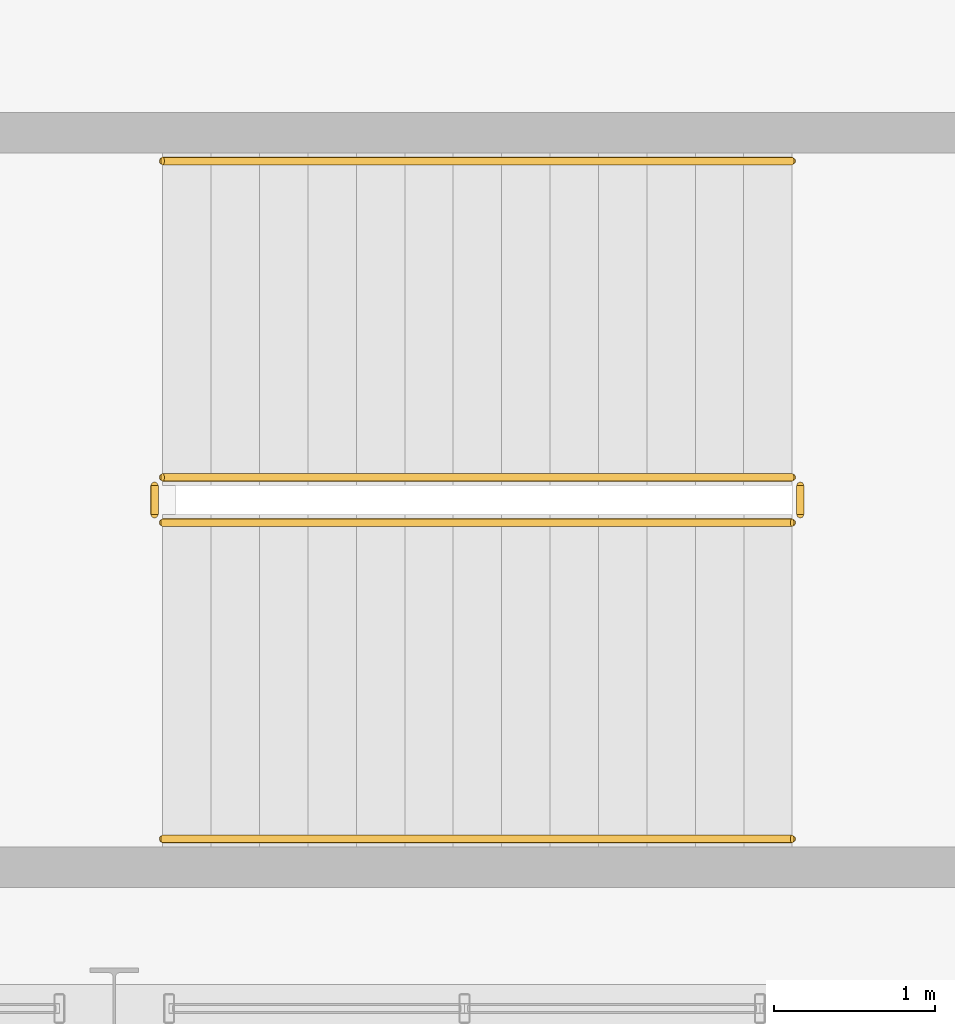
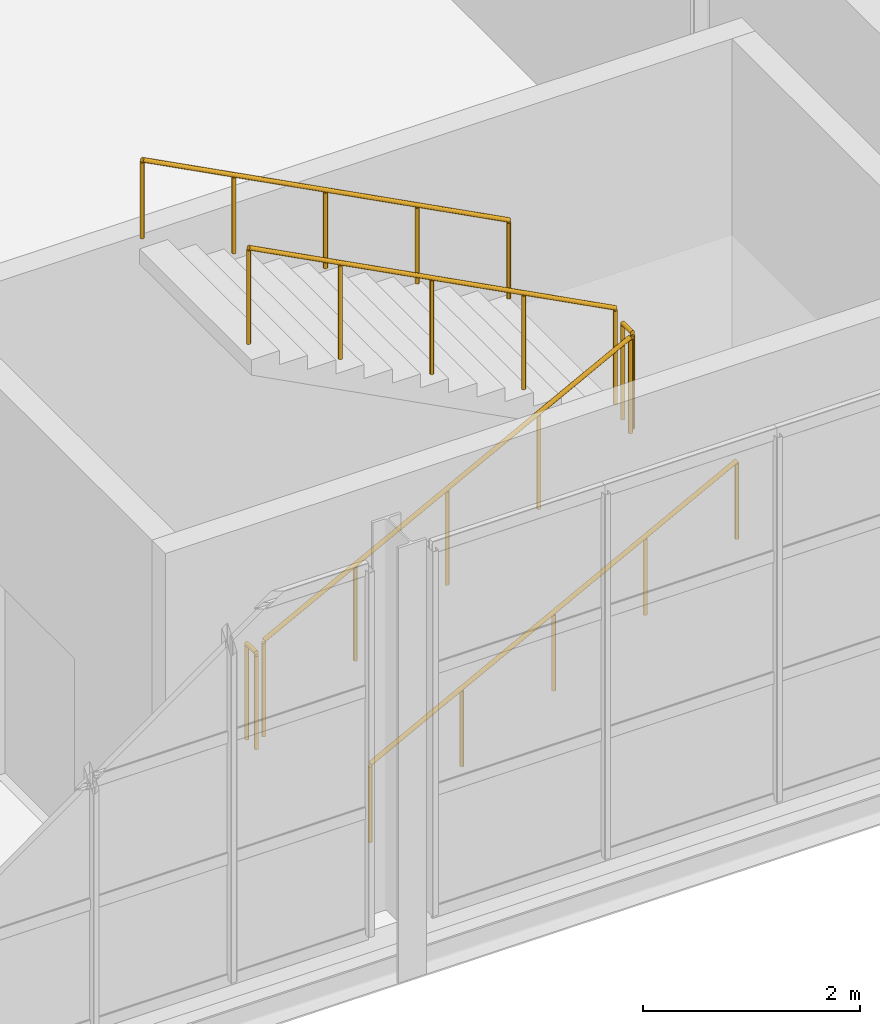
# One storey, part 151 of 153: 6 railings.
"""IFC4 building model written with IfcOpenShell, lengths in metres."""

from ifc_helpers import new_model, si_unit, derived_unit, direction, frame, origin, origin_2d, place, context, subcontext, project, spatial, circle, extrude, material, type_object, element, save


model = new_model("IFC4")

# Units and contexts
model_context = context("Model", 3, precision=1e-05, world=origin(), true_north=direction((0.0, 1.0)))
body_context = subcontext(model_context, "Body", "Model", "MODEL_VIEW")
ifc_project = project(units=[si_unit("LENGTHUNIT", "METRE"), si_unit("AREAUNIT", "SQUARE_METRE"), si_unit("VOLUMEUNIT", "CUBIC_METRE"), si_unit("PLANEANGLEUNIT", "RADIAN"), si_unit("MASSUNIT", "GRAM", prefix="KILO"), derived_unit("THERMALTRANSMITTANCEUNIT", [(si_unit("POWERUNIT", "WATT"), 1), (si_unit("LENGTHUNIT", "METRE"), -2), (si_unit("THERMODYNAMICTEMPERATUREUNIT", "KELVIN"), -1)])], contexts=[model_context])

# Site, building, storey
site_placement = place(None, origin())
site = spatial("IfcSite", under=ifc_project, at=site_placement, CompositionType="ELEMENT")
building_placement = place(site_placement, origin())
building = spatial("IfcBuilding", under=site, at=building_placement, Name="Keldorne Ridge Multi-Sports Centre", CompositionType="ELEMENT")
storey_placement = place(building_placement, frame((0.0, 0.0, 9.60009765625)))
storey = spatial("IfcBuildingStorey", under=building, at=storey_placement, Name="L02", CompositionType="ELEMENT", Elevation=9.60009765625)

# Railings
ifc_material_1 = material(Name="Laminated glass and stainless steel", Category="steel")
railing_type_1 = type_object("IfcRailingType", Name="RLG-BL-01", PredefinedType="BALUSTRADE", material=ifc_material_1)
railing_1_placement = place(storey_placement, frame((160.300048828125, 9.010009765625, 0.156982421875)))
element("IfcRailing", 1, at=railing_1_placement, inside=storey, type_object=railing_type_1, Name="L02 ST-05 stair guard 1", PredefinedType="BALUSTRADE", context=body_context, shape_type="SweptSolid", body=[
    extrude(circle(Radius=0.02392578125, at=origin_2d()), frame((0.0, 0.0, 1.076171875), z_axis=(0.885816339326, 0.0, 0.464036003974), x_axis=(0.0, 1.0, 0.0)), (0.0, 0.0, 1.0), 4.402587890625),
    extrude(circle(Radius=0.02099609375, at=origin_2d()), origin(), (0.0, 0.0, 1.0), 1.052001953125),
    extrude(circle(Radius=0.02099609375, at=origin_2d()), frame((0.97509765625, 0.0, 0.5107421875)), (0.0, 0.0, 1.0), 1.052001953125),
    extrude(circle(Radius=0.02099609375, at=origin_2d()), frame((1.949951171875, 0.0, 1.021484375)), (0.0, 0.0, 1.0), 1.052001953125),
    extrude(circle(Radius=0.02099609375, at=origin_2d()), frame((2.9248046875, 0.0, 1.5322265625)), (0.0, 0.0, 1.0), 1.052001953125),
    extrude(circle(Radius=0.02099609375, at=origin_2d()), frame((3.89990234375, 0.0, 2.04296875)), (0.0, 0.0, 1.0), 1.052001953125),
])
railing_2_placement = place(storey_placement, frame((164.25, 9.06005859375, 2.199951171875)))
element("IfcRailing", 2, at=railing_2_placement, inside=storey, type_object=railing_type_1, Name="L02 ST-05 stair guard 2", PredefinedType="BALUSTRADE", context=body_context, shape_type="SweptSolid", body=[
    extrude(circle(Radius=0.02392578125, at=origin_2d()), frame((0.0, 0.0, 1.076171875), z_axis=(0.0, 1.0, 0.0), x_axis=(-1.0, 0.0, 0.0)), (0.0, 0.0, 1.0), 0.179931640625),
    extrude(circle(Radius=0.02099609375, at=origin_2d()), origin(), (0.0, 0.0, 1.0), 1.052001953125),
    extrude(circle(Radius=0.02099609375, at=origin_2d()), frame((0.0, 0.179931640625, 0.0)), (0.0, 0.0, 1.0), 1.052001953125),
])
railing_3_placement = place(storey_placement, frame((164.199951171875, 9.2900390625, 2.35693359375)))
element("IfcRailing", 3, at=railing_3_placement, inside=storey, type_object=railing_type_1, Name="L02 ST-05 stair guard 3", PredefinedType="BALUSTRADE", context=body_context, shape_type="SweptSolid", body=[
    extrude(circle(Radius=0.02392578125, at=origin_2d()), frame((0.0, 0.0, 1.076171875), z_axis=(-0.885816339326, 0.0, 0.464036003974), x_axis=(0.0, -1.0, 0.0)), (0.0, 0.0, 1.0), 4.402587890625),
    extrude(circle(Radius=0.02099609375, at=origin_2d()), origin(), (0.0, 0.0, 1.0), 1.052001953125),
    extrude(circle(Radius=0.02099609375, at=origin_2d()), frame((-0.97509765625, 0.0, 0.5107421875)), (0.0, 0.0, 1.0), 1.052001953125),
    extrude(circle(Radius=0.02099609375, at=origin_2d()), frame((-1.949951171875, 0.0, 1.021484375)), (0.0, 0.0, 1.0), 1.052001953125),
    extrude(circle(Radius=0.02099609375, at=origin_2d()), frame((-2.9248046875, 0.0, 1.5322265625)), (0.0, 0.0, 1.0), 1.052001953125),
    extrude(circle(Radius=0.02099609375, at=origin_2d()), frame((-3.89990234375, 0.0, 2.04296875)), (0.0, 0.0, 1.0), 1.052001953125),
])
railing_4_placement = place(storey_placement, frame((160.25, 9.06005859375, 0.0)))
element("IfcRailing", 4, at=railing_4_placement, inside=storey, type_object=railing_type_1, Name="L02 ST-05 stair guard 4", PredefinedType="BALUSTRADE", context=body_context, shape_type="SweptSolid", body=[
    extrude(circle(Radius=0.02392578125, at=origin_2d()), frame((0.0, 0.0, 1.076171875), z_axis=(0.0, 1.0, 0.0), x_axis=(-1.0, 0.0, 0.0)), (0.0, 0.0, 1.0), 0.179931640625),
    extrude(circle(Radius=0.02099609375, at=origin_2d()), origin(), (0.0, 0.0, 1.0), 1.052001953125),
    extrude(circle(Radius=0.02099609375, at=origin_2d()), frame((0.0, 0.179931640625, 0.0)), (0.0, 0.0, 1.0), 1.052001953125),
])
ifc_material_2 = material(Name="Stainless steel", Category="steel")
railing_type_2 = type_object("IfcRailingType", Name="RLG-HR-01", PredefinedType="HANDRAIL", material=ifc_material_2)
railing_5_placement = place(storey_placement, frame((160.300048828125, 7.050048828125, 0.156982421875)))
element("IfcRailing", 5, at=railing_5_placement, inside=storey, type_object=railing_type_2, Name="L02 ST-05 stair handrail 1", PredefinedType="HANDRAIL", context=body_context, shape_type="SweptSolid", body=[
    extrude(circle(Radius=0.02392578125, at=origin_2d()), frame((0.0, 0.0, 0.8759765625), z_axis=(0.885816339326, 0.0, 0.464036003974), x_axis=(0.0, 1.0, 0.0)), (0.0, 0.0, 1.0), 4.402587890625),
    extrude(circle(Radius=0.02099609375, at=origin_2d()), origin(), (0.0, 0.0, 1.0), 0.851806640625),
    extrude(circle(Radius=0.02099609375, at=origin_2d()), frame((0.97509765625, 0.0, 0.5107421875)), (0.0, 0.0, 1.0), 0.851806640625),
    extrude(circle(Radius=0.02099609375, at=origin_2d()), frame((1.949951171875, 0.0, 1.021484375)), (0.0, 0.0, 1.0), 0.851806640625),
    extrude(circle(Radius=0.02099609375, at=origin_2d()), frame((2.9248046875, 0.0, 1.5322265625)), (0.0, 0.0, 1.0), 0.851806640625),
    extrude(circle(Radius=0.02099609375, at=origin_2d()), frame((3.89990234375, 0.0, 2.04296875)), (0.0, 0.0, 1.0), 0.851806640625),
])
railing_6_placement = place(storey_placement, frame((164.199951171875, 11.25, 2.35693359375)))
element("IfcRailing", 6, at=railing_6_placement, inside=storey, type_object=railing_type_2, Name="L02 ST-05 stair handrail 2", PredefinedType="HANDRAIL", context=body_context, shape_type="SweptSolid", body=[
    extrude(circle(Radius=0.02392578125, at=origin_2d()), frame((0.0, 0.0, 0.8759765625), z_axis=(-0.885816339326, 0.0, 0.464036003974), x_axis=(0.0, -1.0, 0.0)), (0.0, 0.0, 1.0), 4.402587890625),
    extrude(circle(Radius=0.02099609375, at=origin_2d()), origin(), (0.0, 0.0, 1.0), 0.851806640625),
    extrude(circle(Radius=0.02099609375, at=origin_2d()), frame((-0.97509765625, 0.0, 0.5107421875)), (0.0, 0.0, 1.0), 0.851806640625),
    extrude(circle(Radius=0.02099609375, at=origin_2d()), frame((-1.949951171875, 0.0, 1.021484375)), (0.0, 0.0, 1.0), 0.851806640625),
    extrude(circle(Radius=0.02099609375, at=origin_2d()), frame((-2.9248046875, 0.0, 1.5322265625)), (0.0, 0.0, 1.0), 0.851806640625),
    extrude(circle(Radius=0.02099609375, at=origin_2d()), frame((-3.89990234375, 0.0, 2.04296875)), (0.0, 0.0, 1.0), 0.851806640625),
])

save(model, "model.ifc")
